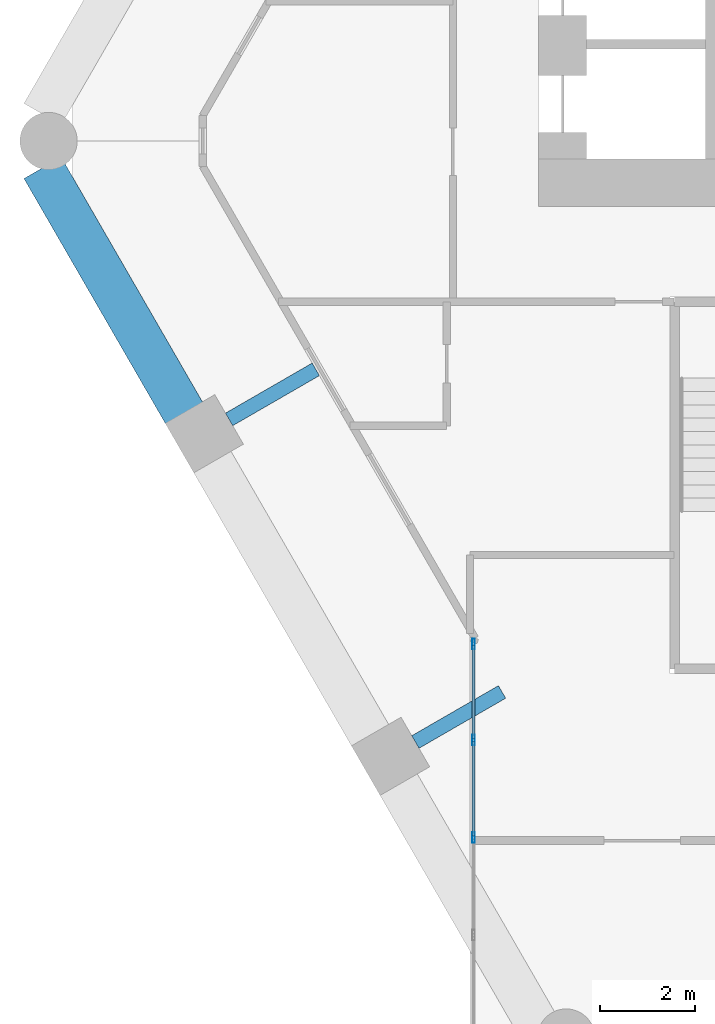
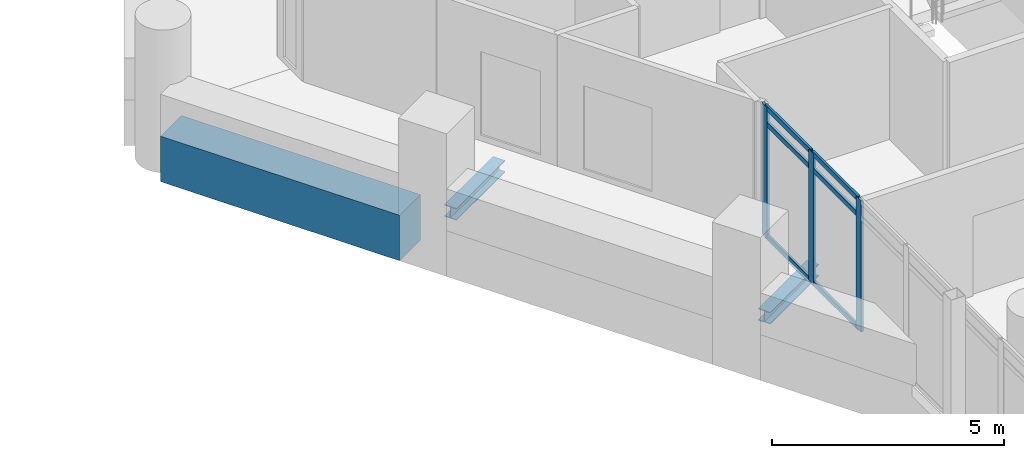
# One storey, part 9 of 28: 9 members, 3 beams, 1 element without a shape of its own.
"""IFC4 building model written with IfcOpenShell, lengths in metres."""

from ifc_helpers import new_model, si_unit, direction, frame, origin, origin_2d, place, context, subcontext, project, spatial, rectangle, hollow_rectangle, i_section, extrude, material, material_profile, profile_set, type_object, element, aggregate, save


model = new_model("IFC4")

# Units and contexts
model_context = context("Model", 3, precision=1e-05, world=origin(), true_north=direction((0.0, 1.0)))
body_context = subcontext(model_context, "Body", "Model", "MODEL_VIEW")
ifc_project = project(units=[si_unit("LENGTHUNIT", "METRE"), si_unit("AREAUNIT", "SQUARE_METRE"), si_unit("VOLUMEUNIT", "CUBIC_METRE"), si_unit("PLANEANGLEUNIT", "RADIAN"), si_unit("MASSUNIT", "GRAM", prefix="KILO")], contexts=[model_context])

# Site, building, storey
site_placement = place(None, origin())
site = spatial("IfcSite", under=ifc_project, at=site_placement, CompositionType="ELEMENT")
building_placement = place(site_placement, origin())
building = spatial("IfcBuilding", under=site, at=building_placement, Name="Ostrander Bayou Hotel Tower", CompositionType="ELEMENT")
storey_placement = place(building_placement, frame((0.0, 0.0, 104.25)))
storey = spatial("IfcBuildingStorey", under=building, at=storey_placement, Name="L26", CompositionType="ELEMENT", Elevation=104.25)

# Curtain wall, members
ifc_material_1 = material(Name="Aluminium and clear glass", Category="aluminium")
curtain_wall_type = type_object("IfcCurtainWallType", Name="CW-BAR glazed wall", PredefinedType="NOTDEFINED", material=ifc_material_1)
curtain_wall_placement = place(storey_placement, origin())
curtain_wall = element("IfcCurtainWall", 1, at=curtain_wall_placement, inside=storey, type_object=curtain_wall_type, Name="CW-BAR L26:SB2S:E", PredefinedType="NOTDEFINED")
ifc_material_2 = material(Name="Aluminium", Category="aluminium")
ifc_material_profile_1 = material_profile(ifc_material_2, hollow_rectangle(XDim=0.06005859375, YDim=0.219970703125, WallThickness=0.00390625, at=origin_2d()))
ifc_profile_set_1 = profile_set([ifc_material_profile_1], Name="Aluminium")
member_type_1 = type_object("IfcMemberType", Name="CW-BR mullion 60 x 220 mm", PredefinedType="MULLION", material=ifc_profile_set_1)
member_1_placement = place(storey_placement, frame((-13.3671875, -10.877197265625, 0.0), z_axis=(0.0, 0.0, 1.0), x_axis=(1.0, 0.0, 0.0)))
member_1 = element("IfcMember", 2, at=member_1_placement, type_object=member_type_1, Name="CW-BAR mullion 1", PredefinedType="MULLION", context=body_context, shape_type="SweptSolid", body=[
    extrude(hollow_rectangle(XDim=0.06005859375, YDim=0.219970703125, WallThickness=0.00390625, at=origin_2d()), origin(), (0.0, 0.0, 1.0), 3.449951171875),
])
member_2_placement = place(storey_placement, frame((-13.3671875, -12.892822265625, 0.0), z_axis=(0.0, 0.0, 1.0), x_axis=(1.0, 0.0, 0.0)))
member_2 = element("IfcMember", 3, at=member_2_placement, type_object=member_type_1, Name="CW-BAR mullion 2", PredefinedType="MULLION", context=body_context, shape_type="SweptSolid", body=[
    extrude(hollow_rectangle(XDim=0.06005859375, YDim=0.219970703125, WallThickness=0.00390625, at=origin_2d()), origin(), (0.0, 0.0, 1.0), 3.449951171875),
])
member_3_placement = place(storey_placement, frame((-13.3671875, -14.938232421875, 0.0), z_axis=(0.0, 0.0, 1.0), x_axis=(1.0, 0.0, 0.0)))
member_3 = element("IfcMember", 4, at=member_3_placement, type_object=member_type_1, Name="CW-BAR mullion 3", PredefinedType="MULLION", context=body_context, shape_type="SweptSolid", body=[
    extrude(hollow_rectangle(XDim=0.06005859375, YDim=0.219970703125, WallThickness=0.00390625, at=origin_2d()), origin(), (0.0, 0.0, 1.0), 3.449951171875),
])
ifc_material_3 = material(Name="Aluminium", Category="aluminium")
ifc_material_profile_2 = material_profile(ifc_material_3, hollow_rectangle(XDim=0.06005859375, YDim=0.1298828125, WallThickness=0.00390625, at=origin_2d()))
ifc_profile_set_2 = profile_set([ifc_material_profile_2], Name="Aluminium")
member_type_2 = type_object("IfcMemberType", Name="CW-BR transom 60 x 130 mm", PredefinedType="USERDEFINED", material=ifc_profile_set_2)
member_4_placement = place(storey_placement, frame((-13.3671875, -10.9072265625, 0.030029296875), z_axis=(0.0, -1.0, 0.0), x_axis=(1.0, 0.0, 0.0)))
member_4 = element("IfcMember", 5, at=member_4_placement, type_object=member_type_2, Name="CW-BAR transom 1.1", ObjectType="TRANSOM", PredefinedType="USERDEFINED", context=body_context, shape_type="SweptSolid", body=[
    extrude(hollow_rectangle(XDim=0.06005859375, YDim=0.1298828125, WallThickness=0.00390625, at=origin_2d()), origin(), (0.0, 0.0, 1.0), 1.95556640625),
])
member_5_placement = place(storey_placement, frame((-13.3671875, -10.9072265625, 3.0), z_axis=(0.0, -1.0, 0.0), x_axis=(1.0, 0.0, 0.0)))
member_5 = element("IfcMember", 6, at=member_5_placement, type_object=member_type_2, Name="CW-BAR transom 1.2", ObjectType="TRANSOM", PredefinedType="USERDEFINED", context=body_context, shape_type="SweptSolid", body=[
    extrude(hollow_rectangle(XDim=0.06005859375, YDim=0.1298828125, WallThickness=0.00390625, at=origin_2d()), origin(), (0.0, 0.0, 1.0), 1.95556640625),
])
member_6_placement = place(storey_placement, frame((-13.3671875, -10.9072265625, 3.419921875), z_axis=(0.0, -1.0, 0.0), x_axis=(1.0, 0.0, 0.0)))
member_6 = element("IfcMember", 7, at=member_6_placement, type_object=member_type_2, Name="CW-BAR transom 1.3", ObjectType="TRANSOM", PredefinedType="USERDEFINED", context=body_context, shape_type="SweptSolid", body=[
    extrude(hollow_rectangle(XDim=0.06005859375, YDim=0.1298828125, WallThickness=0.00390625, at=origin_2d()), origin(), (0.0, 0.0, 1.0), 1.95556640625),
])
member_7_placement = place(storey_placement, frame((-13.3671875, -12.9228515625, 0.030029296875), z_axis=(0.0, -1.0, 0.0), x_axis=(1.0, 0.0, 0.0)))
member_7 = element("IfcMember", 8, at=member_7_placement, type_object=member_type_2, Name="CW-BAR transom 2.1", ObjectType="TRANSOM", PredefinedType="USERDEFINED", context=body_context, shape_type="SweptSolid", body=[
    extrude(hollow_rectangle(XDim=0.06005859375, YDim=0.1298828125, WallThickness=0.00390625, at=origin_2d()), origin(), (0.0, 0.0, 1.0), 1.9853515625),
])
member_8_placement = place(storey_placement, frame((-13.3671875, -12.9228515625, 3.0), z_axis=(0.0, -1.0, 0.0), x_axis=(1.0, 0.0, 0.0)))
member_8 = element("IfcMember", 9, at=member_8_placement, type_object=member_type_2, Name="CW-BAR transom 2.2", ObjectType="TRANSOM", PredefinedType="USERDEFINED", context=body_context, shape_type="SweptSolid", body=[
    extrude(hollow_rectangle(XDim=0.06005859375, YDim=0.1298828125, WallThickness=0.00390625, at=origin_2d()), origin(), (0.0, 0.0, 1.0), 1.9853515625),
])
member_9_placement = place(storey_placement, frame((-13.3671875, -12.9228515625, 3.419921875), z_axis=(0.0, -1.0, 0.0), x_axis=(1.0, 0.0, 0.0)))
member_9 = element("IfcMember", 10, at=member_9_placement, type_object=member_type_2, Name="CW-BAR transom 2.3", ObjectType="TRANSOM", PredefinedType="USERDEFINED", context=body_context, shape_type="SweptSolid", body=[
    extrude(hollow_rectangle(XDim=0.06005859375, YDim=0.1298828125, WallThickness=0.00390625, at=origin_2d()), origin(), (0.0, 0.0, 1.0), 1.9853515625),
])
aggregate(curtain_wall, [member_1, member_2, member_3, member_4, member_5, member_6, member_7, member_8, member_9])

# Beams
ifc_material_4 = material(Name="Steel ASTM A992", Category="steel")
ifc_material_profile_3 = material_profile(ifc_material_4, i_section(OverallWidth=0.3046875, OverallDepth=0.307861328125, WebThickness=0.010009765625, FlangeThickness=0.015380859375, at=origin_2d()))
ifc_profile_set_3 = profile_set([ifc_material_profile_3], Name="Steel ASTM A992")
beam_type_1 = type_object("IfcBeamType", Name="LB1 loggia bracket W12x65", PredefinedType="BEAM", material=ifc_profile_set_3)
for number, where, z_axis, x_axis, name in (
    (11, (-18.494384765625, -6.166748046875, -0.453857421875), (0.866009402589, 0.500027713859, 0.0), (-0.500027713859, 0.866009402589, 0.0), "LB1 L26 SW1"),
    (12, (-14.587646484375, -12.933349609375, -0.453857421875), (0.866009402589, 0.500027713859, 0.0), (-0.500027713859, 0.866009402589, 0.0), "LB1 L26 SW2"),
):
    element("IfcBeam", number, at=place(storey_placement, frame(where, z_axis=z_axis, x_axis=x_axis)), inside=storey, type_object=beam_type_1, Name=name, PredefinedType="BEAM", context=body_context, shape_type="SweptSolid", body=[
        extrude(i_section(OverallWidth=0.3046875, OverallDepth=0.307861328125, WebThickness=0.010009765625, FlangeThickness=0.015380859375, at=origin_2d()), origin(), (0.0, 0.0, 1.0), 2.10009765625),
    ])
ifc_material_5 = material(Name="Concrete f'c 70 MPa", Category="concrete")
ifc_material_profile_4 = material_profile(ifc_material_5, rectangle(XDim=0.89990234375, YDim=1.199951171875, at=origin_2d()))
ifc_profile_set_4 = profile_set([ifc_material_profile_4], Name="Concrete f'c 70 MPa")
beam_type_2 = type_object("IfcBeamType", Name="SP2 spandrel beam 900 x 1200 mm f'c 70 MPa", PredefinedType="SPANDREL", material=ifc_profile_set_4)
beam_placement = place(storey_placement, frame((-22.406494140625, -0.890869140625, -0.60009765625), z_axis=(0.500001626982, -0.866024464444, 0.0), x_axis=(0.866024464444, 0.500001626982, 0.0)))
element("IfcBeam", 13, at=beam_placement, inside=storey, type_object=beam_type_2, Name="SP2 L26 SW-1", PredefinedType="SPANDREL", context=body_context, shape_type="SweptSolid", body=[
    extrude(rectangle(XDim=0.89990234375, YDim=1.199951171875, at=origin_2d()), origin(), (0.0, 0.0, 1.0), 5.955078125),
])

save(model, "model.ifc")
